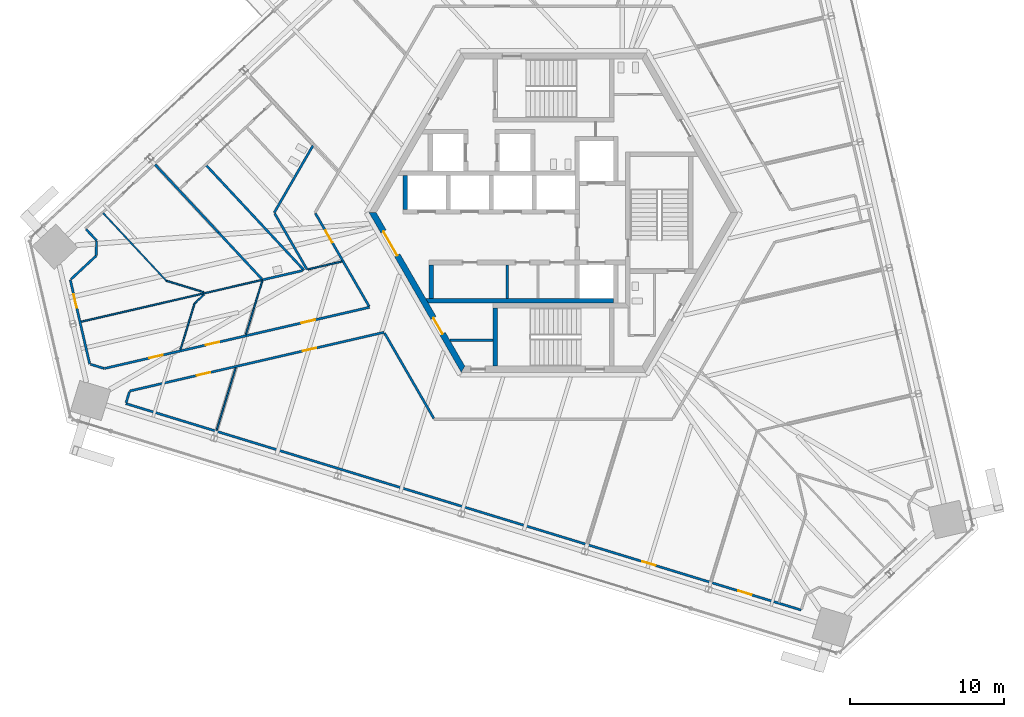
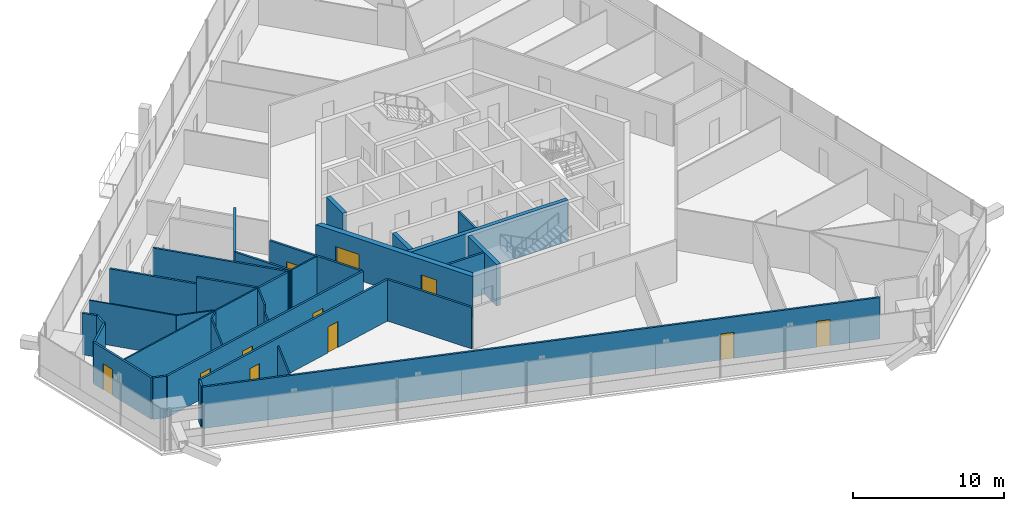
# One storey, part 17 of 25: 33 walls, 11 doors, 11 openings.
"""IFC4 building model written with IfcOpenShell, lengths in metres."""

import ifcopenshell
import ifcopenshell.guid

model = None  # the IFC model being written
_history = None  # IfcOwnerHistory: only IFC2X3 demands one
_inside = {}  # id of a spatial element -> (the spatial element, [elements in it])
_under = {}  # id of a project, library or spatial element -> (it, [spatial elements below it])
_declared = {}  # id of a project -> (the project, [libraries it declares])
_typed = {}  # id of a type object -> (the type object, [elements of that type])
_made_of = {}  # id of a material, layer set ... -> (it, [elements and type objects made of it])


def new_model(schema):
    """Start an empty IFC model of exactly this schema.

    Asked for "IFC4X3", IfcOpenShell would pick the latest addendum, in which some entities
    have other attributes; the version numbers below select the first issue.
    IFC2X3 requires an IfcOwnerHistory on every rooted entity: one is made here for all.
    """
    global model, _history
    if schema == "IFC4X3":
        model = ifcopenshell.file(schema_version=(4, 3, 0, 0))
    else:
        model = ifcopenshell.file(schema=schema)
    _inside.clear()
    _under.clear()
    _declared.clear()
    _typed.clear()
    _made_of.clear()
    _history = None
    if model.schema == "IFC2X3":
        org = make("IfcOrganization", Name="unknown")
        user = make(
            "IfcPersonAndOrganization",
            ThePerson=make("IfcPerson", FamilyName="unknown"),
            TheOrganization=org,
        )
        app = make(
            "IfcApplication",
            ApplicationDeveloper=org,
            Version="unknown",
            ApplicationFullName="unknown",
            ApplicationIdentifier="unknown",
        )
        _history = make(
            "IfcOwnerHistory",
            OwningUser=user,
            OwningApplication=app,
            ChangeAction="ADDED",
            CreationDate=0,
        )
    return model


def make(cls, **values):
    """One entity of the class cls with the attributes given. An attribute that is None is left unset."""
    return model.create_entity(
        cls, **{name: value for name, value in values.items() if value is not None}
    )


def rooted(cls, **values):
    """An entity with a GlobalId (a new one), such as an element, a storey or a relation."""
    return make(cls, GlobalId=ifcopenshell.guid.new(), OwnerHistory=_history, **values)


def si_unit(unit_type, name, prefix=None):
    """IfcSIUnit, for example si_unit("LENGTHUNIT", "METRE", prefix="MILLI")."""
    return make("IfcSIUnit", UnitType=unit_type, Prefix=prefix, Name=name)


def assignment(units):
    """IfcUnitAssignment: the units of a project."""
    return None if units is None else make("IfcUnitAssignment", Units=units)


def point(xyz):
    """IfcCartesianPoint."""
    return None if xyz is None else make("IfcCartesianPoint", Coordinates=xyz)


def direction(xyz):
    """IfcDirection."""
    return None if xyz is None else make("IfcDirection", DirectionRatios=xyz)


def frame(location, z_axis=None, x_axis=None):
    """IfcAxis2Placement3D, a coordinate frame: its origin and axes. An axis left out is left unset."""
    return make(
        "IfcAxis2Placement3D",
        Location=point(location),
        Axis=direction(z_axis),
        RefDirection=direction(x_axis),
    )


def frame_2d(location, x_axis=None):
    """IfcAxis2Placement2D, a coordinate frame in the plane: its origin and x axis."""
    return make(
        "IfcAxis2Placement2D", Location=point(location), RefDirection=direction(x_axis)
    )


def origin():
    """The frame at (0, 0, 0) with its axes left unset."""
    return frame((0.0, 0.0, 0.0))


def place(relative_to, where):
    """IfcLocalPlacement: puts the frame where relative to a parent placement (None: the world)."""
    return make(
        "IfcLocalPlacement", PlacementRelTo=relative_to, RelativePlacement=where
    )


def context(
    kind, dimensions, precision=None, world=None, true_north=None, identifier=None
):
    """IfcGeometricRepresentationContext, for example the 3D "Model" context."""
    return make(
        "IfcGeometricRepresentationContext",
        ContextIdentifier=identifier,
        ContextType=kind,
        CoordinateSpaceDimension=dimensions,
        Precision=precision,
        WorldCoordinateSystem=world,
        TrueNorth=true_north,
    )


def subcontext(parent, identifier, kind, view, scale=None):
    """IfcGeometricRepresentationSubContext, for example "Body" below "Model"."""
    return make(
        "IfcGeometricRepresentationSubContext",
        ContextIdentifier=identifier,
        ContextType=kind,
        ParentContext=parent,
        TargetScale=scale,
        TargetView=view,
    )


def project(units=None, contexts=None):
    """IfcProject with its units and contexts."""
    return rooted(
        "IfcProject",
        Name="project",
        RepresentationContexts=contexts,
        UnitsInContext=assignment(units),
    )


def spatial(cls, under=None, at=None, **own):
    """A site, building, storey or space (cls), placed at a placement, below another one or the project."""
    s = rooted(cls, ObjectPlacement=at, **own)
    if under is not None:
        _under.setdefault(under.id(), (under, []))[1].append(s)
    return s


def polyline(points):
    """IfcPolyline through the points."""
    return make("IfcPolyline", Points=[point(p) for p in points])


def profile(cls, at=None, kind="AREA", **sizes):
    """A parametric profile (cls). Its sizes go by their IFC names, for example OverallWidth=200.0."""
    return make(cls, ProfileType=kind, Position=at, **sizes)


def rectangle(**sizes):
    """IfcRectangleProfileDef."""
    return profile("IfcRectangleProfileDef", **sizes)


def outline(outer, holes=None, kind="AREA"):
    """IfcArbitraryClosedProfileDef: a profile drawn as a closed curve; with holes, ...WithVoids."""
    if holes is None:
        return make("IfcArbitraryClosedProfileDef", ProfileType=kind, OuterCurve=outer)
    return make(
        "IfcArbitraryProfileDefWithVoids",
        ProfileType=kind,
        OuterCurve=outer,
        InnerCurves=holes,
    )


def extrude(swept, where, along, depth):
    """IfcExtrudedAreaSolid: the profile swept, set in the frame where, extruded along a direction by depth."""
    return make(
        "IfcExtrudedAreaSolid",
        SweptArea=swept,
        Position=where,
        ExtrudedDirection=direction(along),
        Depth=depth,
    )


def shape(context_of_items, identifier, shape_type, items):
    """IfcShapeRepresentation: the items that make up one representation, for example the "Body"."""
    return make(
        "IfcShapeRepresentation",
        ContextOfItems=context_of_items,
        RepresentationIdentifier=identifier,
        RepresentationType=shape_type,
        Items=items,
    )


def source(mapping_origin, context_of_items, identifier, shape_type, items):
    """IfcRepresentationMap: a shape defined once, which mapped items show again and again."""
    return make(
        "IfcRepresentationMap",
        MappingOrigin=mapping_origin,
        MappedRepresentation=shape(context_of_items, identifier, shape_type, items),
    )


def transform(
    local_origin,
    x_axis=None,
    y_axis=None,
    z_axis=None,
    scale=None,
    scale2=None,
    scale3=None,
    uniform=True,
):
    """IfcCartesianTransformationOperator3D, or its non-uniform kind. x_axis, y_axis, z_axis: its Axis1, 2, 3."""
    if uniform:
        return make(
            "IfcCartesianTransformationOperator3D",
            Axis1=direction(x_axis),
            Axis2=direction(y_axis),
            LocalOrigin=point(local_origin),
            Scale=scale,
            Axis3=direction(z_axis),
        )
    return make(
        "IfcCartesianTransformationOperator3DnonUniform",
        Axis1=direction(x_axis),
        Axis2=direction(y_axis),
        LocalOrigin=point(local_origin),
        Scale=scale,
        Axis3=direction(z_axis),
        Scale2=scale2,
        Scale3=scale3,
    )


def mapped(mapping_source, mapping_target):
    """IfcMappedItem: shows the shape of a source again, moved by a transform."""
    return make(
        "IfcMappedItem", MappingSource=mapping_source, MappingTarget=mapping_target
    )


def material(Name=None, Category=None):
    """IfcMaterial."""
    return make("IfcMaterial", Name=Name, Category=Category)


def layer(
    of_material, thickness, ventilated=None, Name=None, Category=None, Priority=None
):
    """IfcMaterialLayer: one layer of a wall or slab, of a material (None: an air gap)."""
    return make(
        "IfcMaterialLayer",
        Material=of_material,
        LayerThickness=thickness,
        IsVentilated=ventilated,
        Name=Name,
        Category=Category,
        Priority=Priority,
    )


def layer_set(layers, Name=None):
    """IfcMaterialLayerSet."""
    return make("IfcMaterialLayerSet", MaterialLayers=layers, LayerSetName=Name)


def made_of(thing, what):
    """Note that an element or type object is made of a material, layer set ...; save() writes the relation."""
    if what is not None:
        _made_of.setdefault(what.id(), (what, []))[1].append(thing)
    return thing


def type_object(cls, material=None, **own):
    """A type object (cls), such as IfcWallType, which elements share."""
    return made_of(rooted(cls, **own), material)


def element(
    cls,
    number,
    at=None,
    inside=None,
    cuts=None,
    type_object=None,
    material=None,
    context=None,
    identifier="Body",
    shape_type=None,
    held_by="IfcProductDefinitionShape",
    body=None,
    shapes=None,
    **own,
):
    """One element of the class cls, such as IfcWall. Its Tag is "e" and its number.

    at: its placement. inside: the storey or other place that contains it. cuts: it is an
    opening in that element (IfcRelVoidsElement). A single representation is given by context,
    identifier, shape_type and body (its items); several are given by shapes. held_by: the class
    of the entity that holds the representations. save() writes the other relations.
    """
    e = rooted(cls, Tag="e%d" % number, ObjectPlacement=at, **own)
    if body is not None:
        shapes = [shape(context, identifier, shape_type, body)]
    if shapes is not None:
        e.Representation = make(held_by, Representations=shapes)
    if inside is not None:
        _inside.setdefault(inside.id(), (inside, []))[1].append(e)
    if cuts is not None:
        rooted(
            "IfcRelVoidsElement", RelatingBuildingElement=cuts, RelatedOpeningElement=e
        )
    if type_object is not None:
        _typed.setdefault(type_object.id(), (type_object, []))[1].append(e)
    return made_of(e, material)


def fill(opening, filler):
    """IfcRelFillsElement: the door or window that sits in an opening."""
    return rooted(
        "IfcRelFillsElement",
        RelatingOpeningElement=opening,
        RelatedBuildingElement=filler,
    )


def aggregate(whole, parts):
    """IfcRelAggregates: a whole, such as a stair, and the parts it consists of."""
    return rooted("IfcRelAggregates", RelatingObject=whole, RelatedObjects=parts)


def save(model, path):
    """Write the relations noted so far, then the file.

    IfcRelAggregates (storeys below a building ...), IfcRelContainedInSpatialStructure (elements
    in a storey), IfcRelDefinesByType, IfcRelAssociatesMaterial and IfcRelDeclares: one each for
    every whole, place, type object, material and project.
    """
    for whole, parts in _under.values():
        aggregate(whole, parts)
    for where, things in _inside.values():
        rooted(
            "IfcRelContainedInSpatialStructure",
            RelatedElements=things,
            RelatingStructure=where,
        )
    for kind, things in _typed.values():
        rooted("IfcRelDefinesByType", RelatedObjects=things, RelatingType=kind)
    for what, things in _made_of.values():
        rooted("IfcRelAssociatesMaterial", RelatedObjects=things, RelatingMaterial=what)
    for by, libraries in _declared.values():
        rooted("IfcRelDeclares", RelatingContext=by, RelatedDefinitions=libraries)
    model.write(path)


model = new_model("IFC4")

# Units and contexts
model_context = context("Model", 3, precision=1e-05, world=origin(), true_north=direction((0.0, 1.0)))
body_context = subcontext(model_context, "Body", "Model", "MODEL_VIEW")
ifc_project = project(units=[si_unit("LENGTHUNIT", "METRE"), si_unit("AREAUNIT", "SQUARE_METRE"), si_unit("VOLUMEUNIT", "CUBIC_METRE"), si_unit("PLANEANGLEUNIT", "RADIAN"), si_unit("MASSUNIT", "GRAM", prefix="KILO")], contexts=[model_context])

# Site, building, storey
site_placement = place(None, origin())
site = spatial("IfcSite", under=ifc_project, at=site_placement, CompositionType="ELEMENT")
building_placement = place(site_placement, origin())
building = spatial("IfcBuilding", under=site, at=building_placement, Name="Triune Harvest Tower", CompositionType="ELEMENT")
storey_placement = place(building_placement, frame((0.0, 0.0, 130.699951171875)))
storey = spatial("IfcBuildingStorey", under=building, at=storey_placement, Name="L33", CompositionType="ELEMENT", Elevation=130.699951171875)

# Wall
ifc_material_1 = material(Name="Gypsum board on steel studs", Category="steel")
ifc_layer_1 = layer(ifc_material_1, 0.14990234375)
ifc_layer_set_1 = layer_set([ifc_layer_1], Name="Gypsum board on steel studs")
wall_type_1 = type_object("IfcWallType", Name="Fire Partition 150 mm", PredefinedType="PARTITIONING", material=ifc_layer_set_1)
wall_1_placement = place(storey_placement, frame((-18.152587890625, -0.043212890625, 0.0), z_axis=(0.0, 0.0, 1.0), x_axis=(0.499979177903, -0.866037425094, 0.0)))
element("IfcWall", 1, at=wall_1_placement, inside=storey, type_object=wall_type_1, Name="Partition L33 008", PredefinedType="PARTITIONING", context=body_context, shape_type="SweptSolid", body=[
    extrude(rectangle(XDim=4.225830078125, YDim=0.14990234375, at=frame_2d((2.11279296875, 0.0))), origin(), (0.0, 0.0, 1.0), 3.35009765625),
])

# Wall, opening, door
wall_2_placement = place(storey_placement, frame((-15.496826171875, -0.043212890625, 0.0), z_axis=(0.0, 0.0, 1.0), x_axis=(0.499999004009, -0.86602597882, 0.0)))
wall_2 = element("IfcWall", 2, at=wall_2_placement, inside=storey, type_object=wall_type_1, Name="Partition L33 009", PredefinedType="PARTITIONING", context=body_context, shape_type="SweptSolid", body=[
    extrude(rectangle(XDim=6.9794921875, YDim=0.14990234375, at=frame_2d((3.48974609375, 0.0))), origin(), (0.0, 0.0, 1.0), 3.35009765625),
])
opening_1_placement = place(wall_2_placement, frame((1.300048828125, 0.0, 0.0)))
opening_1 = element("IfcOpeningElement", 3, at=opening_1_placement, cuts=wall_2, Name="Opening L33-021", PredefinedType="OPENING", context=body_context, shape_type="SweptSolid", body=[
    extrude(rectangle(XDim=0.89990234375, YDim=2.10009765625, at=frame_2d((0.449951171875, 1.050048828125))), frame((0.0, 0.0849609375, 0.0), z_axis=(0.0, -1.0, 0.0), x_axis=(1.0, 0.0, 0.0)), (0.0, 0.0, 1.0), 0.169921875),
])
ifc_material_2 = material(Name="Timber and steel door set", Category="steel")
door_type_1 = type_object("IfcDoorType", Name="Single leaf door FD30 right hand 900 x 2100", OperationType="SINGLE_SWING_RIGHT", PredefinedType="DOOR", material=ifc_material_2)
door_1_placement = place(opening_1_placement, origin())
door_1 = element("IfcDoor", 4, at=door_1_placement, inside=storey, type_object=door_type_1, Name="Door L33-021 Cleaner's store 33.21", OperationType="SINGLE_SWING_RIGHT", OverallHeight=2.10009765625, OverallWidth=0.89990234375, PredefinedType="DOOR", context=body_context, shape_type="SweptSolid", body=[
    extrude(rectangle(XDim=0.89990234375, YDim=2.10009765625, at=frame_2d((0.449951171875, 1.050048828125))), frame((0.0, 0.02490234375, 0.0), z_axis=(0.0, -1.0, 0.0), x_axis=(1.0, 0.0, 0.0)), (0.0, 0.0, 1.0), 0.050048828125),
])
fill(opening_1, door_1)

# Walls
wall_3_placement = place(storey_placement, frame((-11.0009765625, -7.830322265625, 0.0), z_axis=(0.0, 0.0, 1.0), x_axis=(0.500006199568, -0.866021824432, 0.0)))
element("IfcWall", 5, at=wall_3_placement, inside=storey, type_object=wall_type_1, Name="Partition L33 010", PredefinedType="PARTITIONING", context=body_context, shape_type="SweptSolid", body=[
    extrude(rectangle(XDim=6.43017578125, YDim=0.14990234375, at=frame_2d((3.215087890625, 0.0))), origin(), (0.0, 0.0, 1.0), 3.35009765625),
])
wall_4_placement = place(storey_placement, frame((-25.9248046875, 3.125, 0.0), z_axis=(0.0, 0.0, 1.0), x_axis=(0.682053920924, -0.731301886332, 0.0)))
element("IfcWall", 6, at=wall_4_placement, inside=storey, type_object=wall_type_1, Name="Partition L33 014", PredefinedType="PARTITIONING", context=body_context, shape_type="SweptSolid", body=[
    extrude(rectangle(XDim=6.023193359375, YDim=0.14990234375, at=frame_2d((3.01171875, 0.0))), origin(), (0.0, 0.0, 1.0), 2.81396484375),
])
wall_5_placement = place(storey_placement, frame((-21.816650390625, -1.27978515625, 0.0), z_axis=(0.0, 0.0, 1.0), x_axis=(0.682043462424, -0.731311640386, 0.0)))
element("IfcWall", 7, at=wall_5_placement, inside=storey, type_object=wall_type_1, Name="Partition L33 014a", PredefinedType="PARTITIONING", context=body_context, shape_type="SweptSolid", body=[
    extrude(rectangle(XDim=4.147705078125, YDim=0.14990234375, at=frame_2d((2.07373046875, 0.0))), origin(), (0.0, 0.0, 1.0), 3.35009765625),
])
wall_6_placement = place(storey_placement, frame((-22.640380859375, 3.1220703125, 0.0), z_axis=(0.0, 0.0, 1.0), x_axis=(0.68199777606, -0.73135424621, 0.0)))
element("IfcWall", 8, at=wall_6_placement, inside=storey, type_object=wall_type_1, Name="Partition L33 015", PredefinedType="PARTITIONING", context=body_context, shape_type="SweptSolid", body=[
    extrude(rectangle(XDim=9.393310546875, YDim=0.14990234375, at=frame_2d((4.69677734375, 0.0))), origin(), (0.0, 0.0, 1.0), 3.35009765625),
])
wall_7_placement = place(storey_placement, frame((-30.142578125, -9.86865234375, 0.0), z_axis=(0.0, 0.0, 1.0), x_axis=(0.956292031222, -0.292413322237, 0.0)))
element("IfcWall", 9, at=wall_7_placement, inside=storey, type_object=wall_type_1, Name="Partition L33 028", PredefinedType="PARTITIONING", context=body_context, shape_type="SweptSolid", body=[
    extrude(rectangle(XDim=0.92333984375, YDim=0.14990234375, at=frame_2d((0.461669921875, 0.0))), origin(), (0.0, 0.0, 1.0), 3.35009765625),
])

# Wall, openings, doors
wall_8_placement = place(storey_placement, frame((-27.5888671875, -11.610107421875, 0.0), z_axis=(0.0, 0.0, 1.0), x_axis=(0.974374248268, 0.224932932919, 0.0)))
wall_8 = element("IfcWall", 10, at=wall_8_placement, inside=storey, type_object=wall_type_1, Name="Partition L33 039", PredefinedType="PARTITIONING", context=body_context, shape_type="SweptSolid", body=[
    extrude(rectangle(XDim=16.998291015625, YDim=0.14990234375, at=frame_2d((8.4990234375, 0.0))), origin(), (0.0, 0.0, 1.0), 3.35009765625),
])
opening_2_placement = place(wall_8_placement, frame((4.490234375, 0.0, 0.0)))
opening_2 = element("IfcOpeningElement", 11, at=opening_2_placement, cuts=wall_8, Name="Opening L33-025", PredefinedType="OPENING", context=body_context, shape_type="SweptSolid", body=[
    extrude(rectangle(XDim=0.89990234375, YDim=2.10009765625, at=frame_2d((0.449951171875, 1.050048828125))), frame((0.0, 0.0849609375, 0.0), z_axis=(0.0, -1.0, 0.0), x_axis=(1.0, 0.0, 0.0)), (0.0, 0.0, 1.0), 0.169921875),
])
opening_3_placement = place(wall_8_placement, frame((11.5625, 0.0, 0.0)))
opening_3 = element("IfcOpeningElement", 12, at=opening_3_placement, cuts=wall_8, Name="Opening L33-028", PredefinedType="OPENING", context=body_context, shape_type="SweptSolid", body=[
    extrude(rectangle(XDim=0.89990234375, YDim=2.10009765625, at=frame_2d((0.449951171875, 1.050048828125))), frame((0.0, 0.0849609375, 0.0), z_axis=(0.0, -1.0, 0.0), x_axis=(1.0, 0.0, 0.0)), (0.0, 0.0, 1.0), 0.169921875),
])
ifc_material_3 = material(Name="Timber and steel door set", Category="steel")
door_type_2 = type_object("IfcDoorType", Name="Single leaf door FD30 left hand 900 x 2100", OperationType="SINGLE_SWING_LEFT", PredefinedType="DOOR", material=ifc_material_3)
door_2_placement = place(opening_3_placement, origin())
door_2 = element("IfcDoor", 13, at=door_2_placement, inside=storey, type_object=door_type_2, Name="Door L33-028 Open Office 33.28", OperationType="SINGLE_SWING_LEFT", OverallHeight=2.10009765625, OverallWidth=0.89990234375, PredefinedType="DOOR", context=body_context, shape_type="SweptSolid", body=[
    extrude(rectangle(XDim=0.89990234375, YDim=2.10009765625, at=frame_2d((0.449951171875, 1.050048828125))), frame((0.0, 0.02490234375, 0.0), z_axis=(0.0, -1.0, 0.0), x_axis=(1.0, 0.0, 0.0)), (0.0, 0.0, 1.0), 0.050048828125),
])
fill(opening_3, door_2)
door_3_placement = place(opening_2_placement, origin())
door_3 = element("IfcDoor", 14, at=door_3_placement, inside=storey, type_object=door_type_1, Name="Door L33-025 Office 33.25", OperationType="SINGLE_SWING_RIGHT", OverallHeight=2.10009765625, OverallWidth=0.89990234375, PredefinedType="DOOR", context=body_context, shape_type="SweptSolid", body=[
    extrude(rectangle(XDim=0.89990234375, YDim=2.10009765625, at=frame_2d((0.449951171875, 1.050048828125))), frame((0.0, 0.02490234375, 0.0), z_axis=(0.0, -1.0, 0.0), x_axis=(1.0, 0.0, 0.0)), (0.0, 0.0, 1.0), 0.050048828125),
])
fill(opening_2, door_3)

wall_9_placement = place(storey_placement, frame((-29.239990234375, -10.144775390625, 0.0), z_axis=(0.0, 0.0, 1.0), x_axis=(0.974369836945, 0.224952041225, 0.0)))
wall_9 = element("IfcWall", 15, at=wall_9_placement, inside=storey, type_object=wall_type_1, Name="Partition L33 042", PredefinedType="PARTITIONING", context=body_context, shape_type="SweptSolid", body=[
    extrude(rectangle(XDim=17.727294921875, YDim=0.14990234375, at=frame_2d((8.86376953125, 0.0))), origin(), (0.0, 0.0, 1.0), 3.35009765625),
])
opening_4_placement = place(wall_9_placement, frame((3.0087890625, 0.0, 0.0)))
opening_4 = element("IfcOpeningElement", 16, at=opening_4_placement, cuts=wall_9, Name="Opening L33-024", PredefinedType="OPENING", context=body_context, shape_type="SweptSolid", body=[
    extrude(rectangle(XDim=0.89990234375, YDim=2.10009765625, at=frame_2d((0.449951171875, 1.050048828125))), frame((0.0, 0.0849609375, 0.0), z_axis=(0.0, -1.0, 0.0), x_axis=(1.0, 0.0, 0.0)), (0.0, 0.0, 1.0), 0.169921875),
])
opening_5_placement = place(wall_9_placement, frame((6.781005859375, 0.0, 0.0)))
opening_5 = element("IfcOpeningElement", 17, at=opening_5_placement, cuts=wall_9, Name="Opening L33-026", PredefinedType="OPENING", context=body_context, shape_type="SweptSolid", body=[
    extrude(rectangle(XDim=0.89990234375, YDim=2.10009765625, at=frame_2d((0.449951171875, 1.050048828125))), frame((0.0, 0.0849609375, 0.0), z_axis=(0.0, -1.0, 0.0), x_axis=(1.0, 0.0, 0.0)), (0.0, 0.0, 1.0), 0.169921875),
])
opening_6_placement = place(wall_9_placement, frame((13.17724609375, 0.0, 0.0)))
opening_6 = element("IfcOpeningElement", 18, at=opening_6_placement, cuts=wall_9, Name="Opening L33-027", PredefinedType="OPENING", context=body_context, shape_type="SweptSolid", body=[
    extrude(rectangle(XDim=0.89990234375, YDim=2.10009765625, at=frame_2d((0.449951171875, 1.050048828125))), frame((0.0, 0.0849609375, 0.0), z_axis=(0.0, -1.0, 0.0), x_axis=(1.0, 0.0, 0.0)), (0.0, 0.0, 1.0), 0.169921875),
])
door_4_placement = place(opening_4_placement, origin())
door_4 = element("IfcDoor", 19, at=door_4_placement, inside=storey, type_object=door_type_2, Name="Door L33-024 Pantry 33.24", OperationType="SINGLE_SWING_LEFT", OverallHeight=2.10009765625, OverallWidth=0.89990234375, PredefinedType="DOOR", context=body_context, shape_type="SweptSolid", body=[
    extrude(rectangle(XDim=0.89990234375, YDim=2.10009765625, at=frame_2d((0.449951171875, 1.050048828125))), frame((0.0, 0.02490234375, 0.0), z_axis=(0.0, -1.0, 0.0), x_axis=(1.0, 0.0, 0.0)), (0.0, 0.0, 1.0), 0.050048828125),
])
fill(opening_4, door_4)
door_5_placement = place(opening_5_placement, origin())
door_5 = element("IfcDoor", 20, at=door_5_placement, inside=storey, type_object=door_type_2, Name="Door L33-026 Office 33.26", OperationType="SINGLE_SWING_LEFT", OverallHeight=2.10009765625, OverallWidth=0.89990234375, PredefinedType="DOOR", context=body_context, shape_type="SweptSolid", body=[
    extrude(rectangle(XDim=0.89990234375, YDim=2.10009765625, at=frame_2d((0.449951171875, 1.050048828125))), frame((0.0, 0.02490234375, 0.0), z_axis=(0.0, -1.0, 0.0), x_axis=(1.0, 0.0, 0.0)), (0.0, 0.0, 1.0), 0.050048828125),
])
fill(opening_5, door_5)
door_6_placement = place(opening_6_placement, origin())
door_6 = element("IfcDoor", 21, at=door_6_placement, inside=storey, type_object=door_type_1, Name="Door L33-027 Dry Store Room 33.27", OperationType="SINGLE_SWING_RIGHT", OverallHeight=2.10009765625, OverallWidth=0.89990234375, PredefinedType="DOOR", context=body_context, shape_type="SweptSolid", body=[
    extrude(rectangle(XDim=0.89990234375, YDim=2.10009765625, at=frame_2d((0.449951171875, 1.050048828125))), frame((0.0, 0.02490234375, 0.0), z_axis=(0.0, -1.0, 0.0), x_axis=(1.0, 0.0, 0.0)), (0.0, 0.0, 1.0), 0.050048828125),
])
fill(opening_6, door_6)

# Walls
wall_10_placement = place(storey_placement, frame((-18.93408203125, -4.371337890625, 0.0), z_axis=(0.0, 0.0, 1.0), x_axis=(0.974371116035, 0.224946500834, 0.0)))
element("IfcWall", 22, at=wall_10_placement, inside=storey, type_object=wall_type_1, Name="Partition L33 045", PredefinedType="PARTITIONING", context=body_context, shape_type="SweptSolid", body=[
    extrude(rectangle(XDim=2.66455078125, YDim=0.14990234375, at=frame_2d((1.332275390625, 0.0))), origin(), (0.0, 0.0, 1.0), 3.35009765625),
])
wall_11_placement = place(storey_placement, frame((-18.177490234375, -0.000244140625, 0.0), z_axis=(0.0, 0.0, 1.0), x_axis=(0.499963633755, 0.866046398827, 0.0)))
element("IfcWall", 23, at=wall_11_placement, inside=storey, type_object=wall_type_1, Name="Partition L33 064", PredefinedType="PARTITIONING", context=body_context, shape_type="SweptSolid", body=[
    extrude(rectangle(XDim=5.05322265625, YDim=0.14990234375, at=frame_2d((2.526611328125, 0.0))), origin(), (0.0, 0.0, 1.0), 3.35009765625),
])
wall_12_placement = place(storey_placement, frame((-27.82373046875, -12.38037109375, 0.0), z_axis=(0.0, 0.0, 1.0), x_axis=(0.292152777467, 0.956371661342, 0.0)))
element("IfcWall", 24, at=wall_12_placement, inside=storey, type_object=wall_type_1, Name="Partition L33 074", PredefinedType="PARTITIONING", context=body_context, shape_type="SweptSolid", body=[
    extrude(rectangle(XDim=0.754638671875, YDim=0.14990234375, at=frame_2d((0.37744140625, 0.0))), origin(), (0.0, 0.0, 1.0), 3.35009765625),
])
wall_13_placement = place(storey_placement, frame((-29.774658203125, -2.78173828125, 0.0), z_axis=(0.0, 0.0, 1.0), x_axis=(0.034874606055, 0.999391695909, 0.0)))
element("IfcWall", 25, at=wall_13_placement, inside=storey, type_object=wall_type_1, Name="Partition L33 075", PredefinedType="PARTITIONING", context=body_context, shape_type="SweptSolid", body=[
    extrude(rectangle(XDim=0.93798828125, YDim=0.14990234375, at=frame_2d((0.468994140625, 0.0))), origin(), (0.0, 0.0, 1.0), 3.35009765625),
])
ifc_material_4 = material(Name="Gypsum board on steel studs", Category="steel")
ifc_layer_2 = layer(ifc_material_4, 0.10009765625)
ifc_layer_set_2 = layer_set([ifc_layer_2], Name="Gypsum board on steel studs")
wall_type_2 = type_object("IfcWallType", Name="Partition 100 mm", PredefinedType="PARTITIONING", material=ifc_layer_set_2)
wall_14_placement = place(storey_placement, frame((-29.31494140625, -0.025390625, 0.0), z_axis=(0.0, 0.0, 1.0), x_axis=(0.682006434007, -0.731346172461, 0.0)))
element("IfcWall", 26, at=wall_14_placement, inside=storey, type_object=wall_type_2, Name="Partition L33 013", PredefinedType="PARTITIONING", context=body_context, shape_type="SweptSolid", body=[
    extrude(rectangle(XDim=6.02685546875, YDim=0.10009765625, at=frame_2d((3.013427734375, 0.0))), origin(), (0.0, 0.0, 1.0), 3.35009765625),
])
wall_15_placement = place(storey_placement, frame((-25.19482421875, -4.43603515625, 0.0), z_axis=(0.0, 0.0, 1.0), x_axis=(0.956313515405, -0.292343052343, 0.0)))
element("IfcWall", 27, at=wall_15_placement, inside=storey, type_object=wall_type_2, Name="Partition L33 030", PredefinedType="PARTITIONING", context=body_context, shape_type="SweptSolid", body=[
    extrude(rectangle(XDim=2.54052734375, YDim=0.10009765625, at=frame_2d((1.270263671875, 0.0))), origin(), (0.0, 0.0, 1.0), 3.35009765625),
])
wall_16_placement = place(storey_placement, frame((-30.822021484375, -7.115966796875, 0.0), z_axis=(0.0, 0.0, 1.0), x_axis=(0.974368594711, 0.224957421842, 0.0)))
element("IfcWall", 28, at=wall_16_placement, inside=storey, type_object=wall_type_2, Name="Partition L33 044", PredefinedType="PARTITIONING", context=body_context, shape_type="SweptSolid", body=[
    extrude(rectangle(XDim=12.20068359375, YDim=0.10009765625, at=frame_2d((6.100341796875, 0.0))), origin(), (0.0, 0.0, 1.0), 3.35009765625),
])
wall_17_placement = place(storey_placement, frame((-15.984375, -3.690185546875, 0.0), z_axis=(0.0, 0.0, 1.0), x_axis=(0.974376745576, 0.2249221147, 0.0)))
element("IfcWall", 29, at=wall_17_placement, inside=storey, type_object=wall_type_2, Name="Partition L33 046", PredefinedType="PARTITIONING", context=body_context, shape_type="SweptSolid", body=[
    extrude(rectangle(XDim=2.2783203125, YDim=0.10009765625, at=frame_2d((1.13916015625, 0.0))), origin(), (0.0, 0.0, 1.0), 3.35009765625),
])
wall_18_placement = place(storey_placement, frame((-23.365966796875, -5.916748046875, 0.0), z_axis=(0.0, 0.0, 1.0), x_axis=(0.731307956272, 0.682047412643, 0.0)))
element("IfcWall", 30, at=wall_18_placement, inside=storey, type_object=wall_type_2, Name="Partition L33 055", PredefinedType="PARTITIONING", context=body_context, shape_type="SweptSolid", body=[
    extrude(rectangle(XDim=0.867431640625, YDim=0.10009765625, at=frame_2d((0.43359375, 0.0))), origin(), (0.0, 0.0, 1.0), 3.35009765625),
])
wall_19_placement = place(storey_placement, frame((-21.93359375, -14.181396484375, 0.0), z_axis=(0.0, 0.0, 1.0), x_axis=(0.29239425877, 0.956297860208, 0.0)))
element("IfcWall", 31, at=wall_19_placement, inside=storey, type_object=wall_type_2, Name="Partition L33 071", PredefinedType="PARTITIONING", context=body_context, shape_type="SweptSolid", body=[
    extrude(rectangle(XDim=4.27099609375, YDim=0.10009765625, at=frame_2d((2.135498046875, 0.0))), origin(), (0.0, 0.0, 1.0), 2.73779296875),
])
wall_20_placement = place(storey_placement, frame((-20.0244140625, -7.93701171875, 0.0), z_axis=(0.0, 0.0, 1.0), x_axis=(0.292307792854, 0.956324293447, 0.0)))
element("IfcWall", 32, at=wall_20_placement, inside=storey, type_object=wall_type_2, Name="Partition L33 072", PredefinedType="PARTITIONING", context=body_context, shape_type="SweptSolid", body=[
    extrude(rectangle(XDim=1.7373046875, YDim=0.10009765625, at=frame_2d((0.86865234375, 0.0))), origin(), (0.0, 0.0, 1.0), 2.73779296875),
])
wall_21_placement = place(storey_placement, frame((-19.5166015625, -6.275634765625, 0.0), z_axis=(0.0, 0.0, 1.0), x_axis=(0.292460604597, 0.956277572025, 0.0)))
element("IfcWall", 33, at=wall_21_placement, inside=storey, type_object=wall_type_2, Name="Partition L33 072a", PredefinedType="PARTITIONING", context=body_context, shape_type="SweptSolid", body=[
    extrude(rectangle(XDim=1.921630859375, YDim=0.10009765625, at=frame_2d((0.9609375, 0.0))), origin(), (0.0, 0.0, 1.0), 3.35009765625),
])
wall_22_placement = place(storey_placement, frame((-24.28466796875, -8.9208984375, 0.0), z_axis=(0.0, 0.0, 1.0), x_axis=(0.292348837312, 0.956311746933, 0.0)))
element("IfcWall", 34, at=wall_22_placement, inside=storey, type_object=wall_type_2, Name="Partition L33 073", PredefinedType="PARTITIONING", context=body_context, shape_type="SweptSolid", body=[
    extrude(rectangle(XDim=3.1416015625, YDim=0.10009765625, at=frame_2d((1.57080078125, 0.0))), origin(), (0.0, 0.0, 1.0), 3.35009765625),
])

# Wall, openings, doors
ifc_material_5 = material(Name="Concrete 70 MPa", Category="concrete")
ifc_layer_3 = layer(ifc_material_5, 0.39990234375)
ifc_layer_set_3 = layer_set([ifc_layer_3], Name="Concrete 70 MPa")
wall_type_3 = type_object("IfcWallType", Name="Core wall 400", PredefinedType="SHEAR", material=ifc_layer_set_3)
shared_shape_1 = source(origin(), body_context, "Body", "SweptSolid", [
    extrude(outline(polyline([(-0.115478515625, -0.199951171875), (11.884521484375, -0.199951171875), (11.653564453125, 0.199951171875), (0.115478515625, 0.199951171875), (-0.115478515625, -0.199951171875)])), origin(), (0.0, 0.0, 1.0), 3.35009765625),
])
wall_23_placement = place(storey_placement, frame((-11.76904296875, 0.0, 0.0), z_axis=(0.0, 0.0, 1.0), x_axis=(0.499996592174, -0.866027371285, 0.0)))
wall_23 = element("IfcWall", 35, at=wall_23_placement, inside=storey, type_object=wall_type_3, Name="Hexagon 3 wall", PredefinedType="SHEAR", context=body_context, shape_type="MappedRepresentation", body=[
    mapped(shared_shape_1, transform((0.0, 0.0, 0.0), scale=1.0)),
])
opening_7_placement = place(wall_23_placement, frame((1.404541015625, 0.0, 0.0)))
opening_7 = element("IfcOpeningElement", 36, at=opening_7_placement, cuts=wall_23, Name="Opening CD-LS", PredefinedType="OPENING", context=body_context, shape_type="SweptSolid", body=[
    extrude(rectangle(XDim=1.800048828125, YDim=2.10009765625, at=frame_2d((0.89990234375, 1.050048828125))), frame((0.0, 0.2099609375, 0.0), z_axis=(0.0, -1.0, 0.0), x_axis=(1.0, 0.0, 0.0)), (0.0, 0.0, 1.0), 0.419921875),
])
opening_8_placement = place(wall_23_placement, frame((7.91455078125, 0.0, 0.0)))
opening_8 = element("IfcOpeningElement", 37, at=opening_8_placement, cuts=wall_23, Name="Opening CD-SWP", PredefinedType="OPENING", context=body_context, shape_type="SweptSolid", body=[
    extrude(rectangle(XDim=1.199951171875, YDim=2.10009765625, at=frame_2d((0.60009765625, 1.050048828125))), frame((0.0, 0.2099609375, 0.0), z_axis=(0.0, -1.0, 0.0), x_axis=(1.0, 0.0, 0.0)), (0.0, 0.0, 1.0), 0.419921875),
])
ifc_material_6 = material(Name="Steel S235", Category="steel")
door_type_3 = type_object("IfcDoorType", Name="Lobby door 1800 FD120", OperationType="DOUBLE_DOOR_DOUBLE_SWING", PredefinedType="DOOR", material=ifc_material_6)
door_7_placement = place(opening_7_placement, frame((1.800048828125, 0.0, 0.0), z_axis=(0.0, 0.0, 1.0), x_axis=(-1.0, 0.0, 0.0)))
door_7 = element("IfcDoor", 38, at=door_7_placement, inside=storey, type_object=door_type_3, Name="Door CD-LS", OperationType="DOUBLE_DOOR_DOUBLE_SWING", OverallHeight=2.10009765625, OverallWidth=1.800048828125, PredefinedType="DOOR", context=body_context, shape_type="SweptSolid", body=[
    extrude(rectangle(XDim=1.800048828125, YDim=2.10009765625, at=frame_2d((0.89990234375, 1.050048828125))), frame((0.0, 0.02490234375, 0.0), z_axis=(0.0, -1.0, 0.0), x_axis=(1.0, 0.0, 0.0)), (0.0, 0.0, 1.0), 0.050048828125),
])
fill(opening_7, door_7)
ifc_material_7 = material(Name="Steel S235", Category="steel")
door_type_4 = type_object("IfcDoorType", Name="Service door 1200 FD120", OperationType="SINGLE_SWING_LEFT", PredefinedType="DOOR", material=ifc_material_7)
door_8_placement = place(opening_8_placement, frame((1.199951171875, 0.0, 0.0), z_axis=(0.0, 0.0, 1.0), x_axis=(-1.0, 0.0, 0.0)))
door_8 = element("IfcDoor", 39, at=door_8_placement, inside=storey, type_object=door_type_4, Name="Door CD-SWP", OperationType="SINGLE_SWING_RIGHT", OverallHeight=2.10009765625, OverallWidth=1.199951171875, PredefinedType="DOOR", context=body_context, shape_type="SweptSolid", body=[
    extrude(rectangle(XDim=1.199951171875, YDim=2.10009765625, at=frame_2d((0.60009765625, 1.050048828125))), frame((0.0, 0.02490234375, 0.0), z_axis=(0.0, -1.0, 0.0), x_axis=(1.0, 0.0, 0.0)), (0.0, 0.0, 1.0), 0.050048828125),
])
fill(opening_8, door_8)

# Walls
ifc_material_8 = material(Name="Concrete 70 MPa", Category="concrete")
ifc_layer_4 = layer(ifc_material_8, 0.300048828125)
ifc_layer_set_4 = layer_set([ifc_layer_4], Name="Concrete 70 MPa")
wall_type_4 = type_object("IfcWallType", Name="Core wall 300", PredefinedType="SHEAR", material=ifc_layer_set_4)
shared_shape_2 = source(origin(), body_context, "Body", "SweptSolid", [
    extrude(outline(polyline([(12.0, -0.14990234375), (-0.039794921875, -0.14990234375), (-0.212890625, 0.14990234375), (12.0, 0.14990234375), (12.0, -0.14990234375)])), origin(), (0.0, 0.0, 1.0), 3.35009765625),
])
wall_24_placement = place(storey_placement, frame((-8.10009765625, -5.739990234375, 0.0), z_axis=(0.0, 0.0, 1.0), x_axis=(1.0, 0.0, 0.0)))
element("IfcWall", 40, at=wall_24_placement, inside=storey, type_object=wall_type_4, Name="South back wall", PredefinedType="SHEAR", context=body_context, shape_type="MappedRepresentation", body=[
    mapped(shared_shape_2, transform((0.0, 0.0, 0.0), scale=1.0)),
])
shared_shape_3 = source(origin(), body_context, "Body", "SweptSolid", [
    extrude(rectangle(XDim=2.2001953125, YDim=0.300048828125, at=frame_2d((1.10009765625, 0.0))), origin(), (0.0, 0.0, 1.0), 3.35009765625),
])
wall_25_placement = place(storey_placement, frame((-7.949951171875, -5.590087890625, 0.0), z_axis=(0.0, 0.0, 1.0), x_axis=(0.0, 1.0, 0.0)))
element("IfcWall", 41, at=wall_25_placement, inside=storey, type_object=wall_type_4, Name="South end west wall", PredefinedType="SHEAR", context=body_context, shape_type="MappedRepresentation", body=[
    mapped(shared_shape_3, transform((0.0, 0.0, 0.0), scale=1.0)),
])
shared_shape_4 = source(origin(), body_context, "Body", "SweptSolid", [
    extrude(rectangle(XDim=2.199951171875, YDim=0.300048828125, at=frame_2d((1.10009765625, 0.0))), origin(), (0.0, 0.0, 1.0), 3.35009765625),
])
wall_26_placement = place(storey_placement, frame((-9.64990234375, 0.2099609375, 0.0), z_axis=(0.0, 0.0, 1.0), x_axis=(0.0, 1.0, 0.0)))
element("IfcWall", 42, at=wall_26_placement, inside=storey, type_object=wall_type_4, Name="North end west wall", PredefinedType="SHEAR", context=body_context, shape_type="MappedRepresentation", body=[
    mapped(shared_shape_4, transform((0.0, 0.0, 0.0), scale=1.0)),
])
shared_shape_5 = source(origin(), body_context, "Body", "SweptSolid", [
    extrude(outline(polyline([(3.800048828125, -0.14990234375), (-0.00439453125, -0.14990234375), (-0.00439453125, 0.14990234375), (3.800048828125, 0.14990234375), (3.800048828125, -0.14990234375)])), origin(), (0.0, 0.0, 1.0), 3.35009765625),
])
wall_27_placement = place(storey_placement, frame((-3.800048828125, -9.989990234375, 0.0), z_axis=(0.0, 0.0, 1.0), x_axis=(0.0, 1.0, 0.0)))
element("IfcWall", 43, at=wall_27_placement, inside=storey, type_object=wall_type_4, Name="Stair s west wall", PredefinedType="SHEAR", context=body_context, shape_type="MappedRepresentation", body=[
    mapped(shared_shape_5, transform((0.0, 0.0, 0.0), scale=1.0)),
])
ifc_material_9 = material(Name="Concrete masonry unit", Category="masonry")
ifc_layer_5 = layer(ifc_material_9, 0.14990234375)
ifc_layer_set_5 = layer_set([ifc_layer_5], Name="Concrete masonry unit")
wall_type_5 = type_object("IfcWallType", Name="Block partition 150", PredefinedType="PARTITIONING", material=ifc_layer_set_5)
shared_shape_6 = source(origin(), body_context, "Body", "SweptSolid", [
    extrude(rectangle(XDim=2.2001953125, YDim=0.14990234375, at=frame_2d((1.10009765625, 0.0))), origin(), (0.0, 0.0, 1.0), 3.35009765625),
])
wall_28_placement = place(storey_placement, frame((-3.0, -5.590087890625, 0.0), z_axis=(0.0, 0.0, 1.0), x_axis=(0.0, 1.0, 0.0)))
element("IfcWall", 44, at=wall_28_placement, inside=storey, type_object=wall_type_5, Name="Row s part 1 wall", PredefinedType="PARTITIONING", context=body_context, shape_type="MappedRepresentation", body=[
    mapped(shared_shape_6, transform((0.0, 0.0, 0.0), scale=1.0)),
])
shared_shape_7 = source(origin(), body_context, "Body", "SweptSolid", [
    extrude(rectangle(XDim=2.777099609375, YDim=0.14990234375, at=frame_2d((1.388671875, 0.0))), origin(), (0.0, 0.0, 1.0), 3.35009765625),
])
wall_29_placement = place(storey_placement, frame((-6.72705078125, -8.300048828125, 0.0), z_axis=(0.0, 0.0, 1.0), x_axis=(1.0, 0.0, 0.0)))
element("IfcWall", 45, at=wall_29_placement, inside=storey, type_object=wall_type_5, Name="Sw part wall", PredefinedType="PARTITIONING", context=body_context, shape_type="MappedRepresentation", body=[
    mapped(shared_shape_7, transform((0.0, 0.0, 0.0), scale=1.0)),
])

# Wall, opening, door
shared_shape_8 = source(origin(), body_context, "Body", "SweptSolid", [
    extrude(rectangle(XDim=5.621337890625, YDim=0.14990234375, at=frame_2d((2.810546875, 0.0))), origin(), (0.0, 0.0, 1.0), 3.35009765625),
])
wall_30_placement = place(storey_placement, frame((-31.454345703125, -4.377197265625, 0.0), z_axis=(0.0, 0.0, 1.0), x_axis=(0.224970521667, -0.974365570195, 0.0)))
wall_30 = element("IfcWall", 46, at=wall_30_placement, inside=storey, type_object=wall_type_1, Name="Partition L33 001", PredefinedType="PARTITIONING", context=body_context, shape_type="MappedRepresentation", body=[
    mapped(shared_shape_8, transform((0.0, 0.0, 0.0), scale=1.0)),
])
opening_9_placement = place(wall_30_placement, frame((0.960693359375, 0.0, 0.0)))
opening_9 = element("IfcOpeningElement", 47, at=opening_9_placement, cuts=wall_30, Name="Opening L33-023", PredefinedType="OPENING", context=body_context, shape_type="SweptSolid", body=[
    extrude(rectangle(XDim=0.89990234375, YDim=2.10009765625, at=frame_2d((0.449951171875, 1.050048828125))), frame((0.0, 0.0849609375, 0.0), z_axis=(0.0, -1.0, 0.0), x_axis=(1.0, 0.0, 0.0)), (0.0, 0.0, 1.0), 0.169921875),
])
door_9_placement = place(opening_9_placement, origin())
door_9 = element("IfcDoor", 48, at=door_9_placement, inside=storey, type_object=door_type_2, Name="Door L33-023 Open Office 33.23", OperationType="SINGLE_SWING_LEFT", OverallHeight=2.10009765625, OverallWidth=0.89990234375, PredefinedType="DOOR", context=body_context, shape_type="SweptSolid", body=[
    extrude(rectangle(XDim=0.89990234375, YDim=2.10009765625, at=frame_2d((0.449951171875, 1.050048828125))), frame((0.0, 0.02490234375, 0.0), z_axis=(0.0, -1.0, 0.0), x_axis=(1.0, 0.0, 0.0)), (0.0, 0.0, 1.0), 0.050048828125),
])
fill(opening_9, door_9)

# Walls
shared_shape_9 = source(origin(), body_context, "Body", "SweptSolid", [
    extrude(rectangle(XDim=2.2451171875, YDim=0.14990234375, at=frame_2d((1.12255859375, 0.0))), origin(), (0.0, 0.0, 1.0), 3.35009765625),
])
wall_31_placement = place(storey_placement, frame((-31.417724609375, -4.343017578125, 0.0), z_axis=(0.0, 0.0, 1.0), x_axis=(0.731308352949, 0.682046987316, 0.0)))
element("IfcWall", 49, at=wall_31_placement, inside=storey, type_object=wall_type_1, Name="Partition L33 058", PredefinedType="PARTITIONING", context=body_context, shape_type="MappedRepresentation", body=[
    mapped(shared_shape_9, transform((0.0, 0.0, 0.0), scale=1.0)),
])
shared_shape_10 = source(origin(), body_context, "Body", "SweptSolid", [
    extrude(rectangle(XDim=1.017822265625, YDim=0.14990234375, at=frame_2d((0.5087890625, 0.0))), origin(), (0.0, 0.0, 1.0), 3.35009765625),
])
wall_32_placement = place(storey_placement, frame((-30.43505859375, -1.06982421875, 0.0), z_axis=(0.0, 0.0, 1.0), x_axis=(0.681967759144, -0.73138223624, 0.0)))
element("IfcWall", 50, at=wall_32_placement, inside=storey, type_object=wall_type_1, Name="Partition L33 012", PredefinedType="PARTITIONING", context=body_context, shape_type="MappedRepresentation", body=[
    mapped(shared_shape_10, transform((0.0, 0.0, 0.0), scale=1.0)),
])

# Wall, openings, doors
shared_shape_11 = source(origin(), body_context, "Body", "SweptSolid", [
    extrude(rectangle(XDim=45.9765625, YDim=0.14990234375, at=frame_2d((22.98828125, 0.0))), origin(), (0.0, 0.0, 1.0), 3.35009765625),
])
wall_33_placement = place(storey_placement, frame((-27.83837890625, -12.42822265625, 0.0), z_axis=(0.0, 0.0, 1.0), x_axis=(0.956305266925, -0.292370033437, 0.0)))
wall_33 = element("IfcWall", 51, at=wall_33_placement, inside=storey, type_object=wall_type_1, Name="Partition L33 027", PredefinedType="PARTITIONING", context=body_context, shape_type="MappedRepresentation", body=[
    mapped(shared_shape_11, transform((0.0, 0.0, 0.0), scale=1.0)),
])
opening_10_placement = place(wall_33_placement, frame((35.167236328125, 0.0, 0.0)))
opening_10 = element("IfcOpeningElement", 52, at=opening_10_placement, cuts=wall_33, Name="Opening L33-029", PredefinedType="OPENING", context=body_context, shape_type="SweptSolid", body=[
    extrude(rectangle(XDim=0.89990234375, YDim=2.10009765625, at=frame_2d((0.449951171875, 1.050048828125))), frame((0.0, 0.0849609375, 0.0), z_axis=(0.0, -1.0, 0.0), x_axis=(1.0, 0.0, 0.0)), (0.0, 0.0, 1.0), 0.169921875),
])
opening_11_placement = place(wall_33_placement, frame((41.6953125, 0.0, 0.0)))
opening_11 = element("IfcOpeningElement", 53, at=opening_11_placement, cuts=wall_33, Name="Opening L33-030", PredefinedType="OPENING", context=body_context, shape_type="SweptSolid", body=[
    extrude(rectangle(XDim=0.89990234375, YDim=2.10009765625, at=frame_2d((0.449951171875, 1.050048828125))), frame((0.0, 0.0849609375, 0.0), z_axis=(0.0, -1.0, 0.0), x_axis=(1.0, 0.0, 0.0)), (0.0, 0.0, 1.0), 0.169921875),
])
door_10_placement = place(opening_10_placement, origin())
door_10 = element("IfcDoor", 54, at=door_10_placement, inside=storey, type_object=door_type_1, Name="Door L33-029 Project Room 33.29", OperationType="SINGLE_SWING_RIGHT", OverallHeight=2.10009765625, OverallWidth=0.89990234375, PredefinedType="DOOR", context=body_context, shape_type="SweptSolid", body=[
    extrude(rectangle(XDim=0.89990234375, YDim=2.10009765625, at=frame_2d((0.449951171875, 1.050048828125))), frame((0.0, 0.02490234375, 0.0), z_axis=(0.0, -1.0, 0.0), x_axis=(1.0, 0.0, 0.0)), (0.0, 0.0, 1.0), 0.050048828125),
])
fill(opening_10, door_10)
door_11_placement = place(opening_11_placement, origin())
door_11 = element("IfcDoor", 55, at=door_11_placement, inside=storey, type_object=door_type_1, Name="Door L33-030 Office 33.30", OperationType="SINGLE_SWING_RIGHT", OverallHeight=2.10009765625, OverallWidth=0.89990234375, PredefinedType="DOOR", context=body_context, shape_type="SweptSolid", body=[
    extrude(rectangle(XDim=0.89990234375, YDim=2.10009765625, at=frame_2d((0.449951171875, 1.050048828125))), frame((0.0, 0.02490234375, 0.0), z_axis=(0.0, -1.0, 0.0), x_axis=(1.0, 0.0, 0.0)), (0.0, 0.0, 1.0), 0.050048828125),
])
fill(opening_11, door_11)

save(model, "model.ifc")
